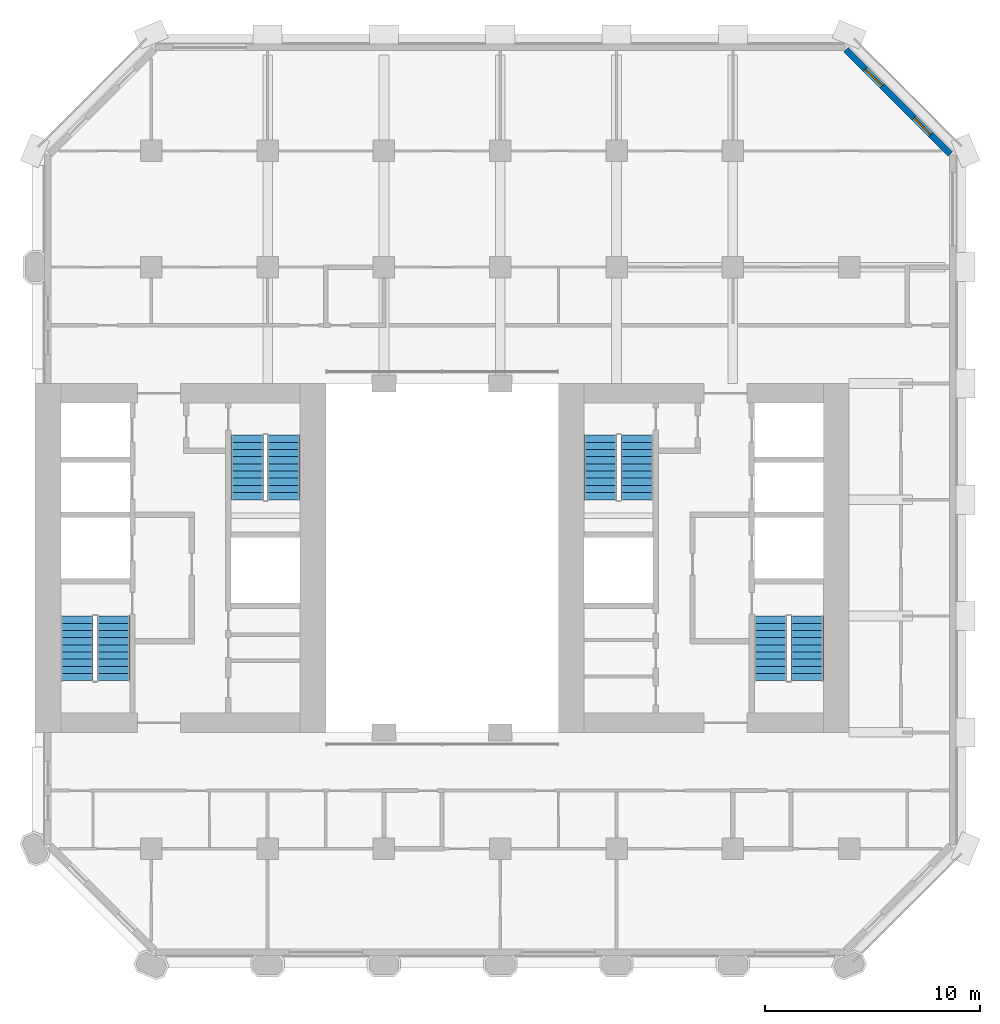
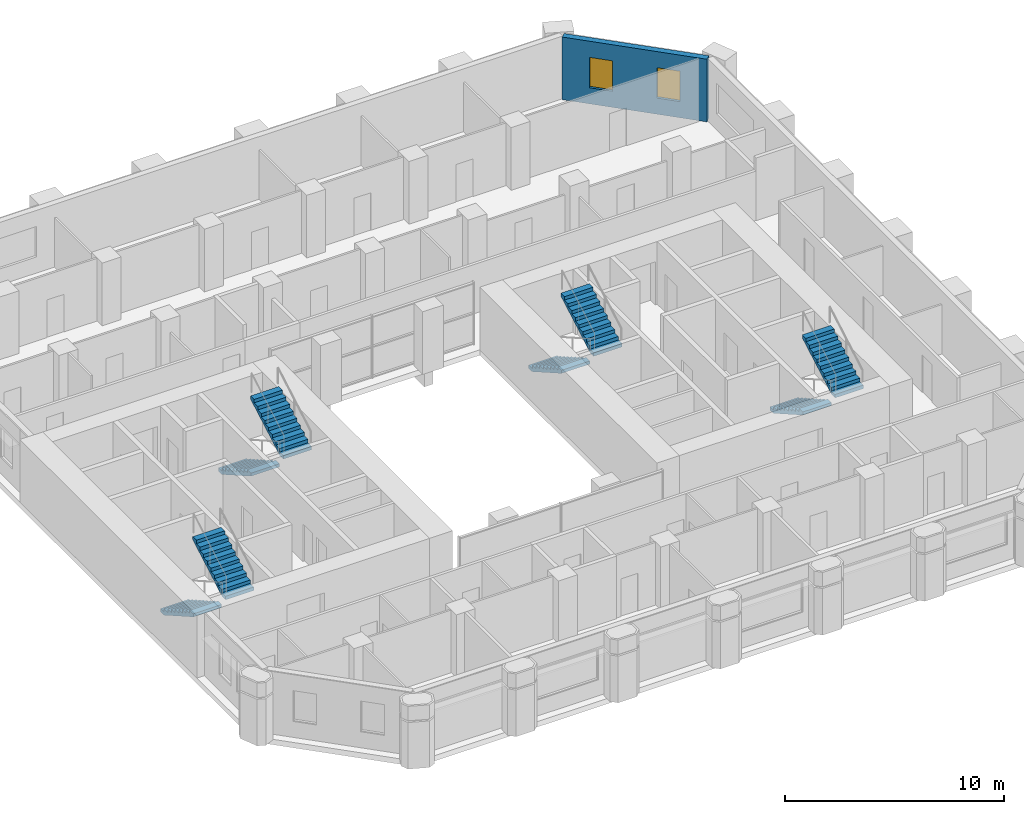
# One storey, part 8 of 10: 8 stair flights, 2 windows, 1 wall, 2 openings, 4 elements without a shape of their own.
"""IFC4 building model written with IfcOpenShell, lengths in metres."""

import ifcopenshell
import ifcopenshell.guid

model = None  # the IFC model being written
_history = None  # IfcOwnerHistory: only IFC2X3 demands one
_inside = {}  # id of a spatial element -> (the spatial element, [elements in it])
_under = {}  # id of a project, library or spatial element -> (it, [spatial elements below it])
_declared = {}  # id of a project -> (the project, [libraries it declares])
_typed = {}  # id of a type object -> (the type object, [elements of that type])
_made_of = {}  # id of a material, layer set ... -> (it, [elements and type objects made of it])


def new_model(schema):
    """Start an empty IFC model of exactly this schema.

    Asked for "IFC4X3", IfcOpenShell would pick the latest addendum, in which some entities
    have other attributes; the version numbers below select the first issue.
    IFC2X3 requires an IfcOwnerHistory on every rooted entity: one is made here for all.
    """
    global model, _history
    if schema == "IFC4X3":
        model = ifcopenshell.file(schema_version=(4, 3, 0, 0))
    else:
        model = ifcopenshell.file(schema=schema)
    _inside.clear()
    _under.clear()
    _declared.clear()
    _typed.clear()
    _made_of.clear()
    _history = None
    if model.schema == "IFC2X3":
        org = make("IfcOrganization", Name="unknown")
        user = make(
            "IfcPersonAndOrganization",
            ThePerson=make("IfcPerson", FamilyName="unknown"),
            TheOrganization=org,
        )
        app = make(
            "IfcApplication",
            ApplicationDeveloper=org,
            Version="unknown",
            ApplicationFullName="unknown",
            ApplicationIdentifier="unknown",
        )
        _history = make(
            "IfcOwnerHistory",
            OwningUser=user,
            OwningApplication=app,
            ChangeAction="ADDED",
            CreationDate=0,
        )
    return model


def make(cls, **values):
    """One entity of the class cls with the attributes given. An attribute that is None is left unset."""
    return model.create_entity(
        cls, **{name: value for name, value in values.items() if value is not None}
    )


def rooted(cls, **values):
    """An entity with a GlobalId (a new one), such as an element, a storey or a relation."""
    return make(cls, GlobalId=ifcopenshell.guid.new(), OwnerHistory=_history, **values)


def si_unit(unit_type, name, prefix=None):
    """IfcSIUnit, for example si_unit("LENGTHUNIT", "METRE", prefix="MILLI")."""
    return make("IfcSIUnit", UnitType=unit_type, Prefix=prefix, Name=name)


def assignment(units):
    """IfcUnitAssignment: the units of a project."""
    return None if units is None else make("IfcUnitAssignment", Units=units)


def point(xyz):
    """IfcCartesianPoint."""
    return None if xyz is None else make("IfcCartesianPoint", Coordinates=xyz)


def direction(xyz):
    """IfcDirection."""
    return None if xyz is None else make("IfcDirection", DirectionRatios=xyz)


def frame(location, z_axis=None, x_axis=None):
    """IfcAxis2Placement3D, a coordinate frame: its origin and axes. An axis left out is left unset."""
    return make(
        "IfcAxis2Placement3D",
        Location=point(location),
        Axis=direction(z_axis),
        RefDirection=direction(x_axis),
    )


def frame_2d(location, x_axis=None):
    """IfcAxis2Placement2D, a coordinate frame in the plane: its origin and x axis."""
    return make(
        "IfcAxis2Placement2D", Location=point(location), RefDirection=direction(x_axis)
    )


def origin():
    """The frame at (0, 0, 0) with its axes left unset."""
    return frame((0.0, 0.0, 0.0))


def place(relative_to, where):
    """IfcLocalPlacement: puts the frame where relative to a parent placement (None: the world)."""
    return make(
        "IfcLocalPlacement", PlacementRelTo=relative_to, RelativePlacement=where
    )


def context(
    kind, dimensions, precision=None, world=None, true_north=None, identifier=None
):
    """IfcGeometricRepresentationContext, for example the 3D "Model" context."""
    return make(
        "IfcGeometricRepresentationContext",
        ContextIdentifier=identifier,
        ContextType=kind,
        CoordinateSpaceDimension=dimensions,
        Precision=precision,
        WorldCoordinateSystem=world,
        TrueNorth=true_north,
    )


def subcontext(parent, identifier, kind, view, scale=None):
    """IfcGeometricRepresentationSubContext, for example "Body" below "Model"."""
    return make(
        "IfcGeometricRepresentationSubContext",
        ContextIdentifier=identifier,
        ContextType=kind,
        ParentContext=parent,
        TargetScale=scale,
        TargetView=view,
    )


def project(units=None, contexts=None):
    """IfcProject with its units and contexts."""
    return rooted(
        "IfcProject",
        Name="project",
        RepresentationContexts=contexts,
        UnitsInContext=assignment(units),
    )


def spatial(cls, under=None, at=None, **own):
    """A site, building, storey or space (cls), placed at a placement, below another one or the project."""
    s = rooted(cls, ObjectPlacement=at, **own)
    if under is not None:
        _under.setdefault(under.id(), (under, []))[1].append(s)
    return s


def polyline(points):
    """IfcPolyline through the points."""
    return make("IfcPolyline", Points=[point(p) for p in points])


def profile(cls, at=None, kind="AREA", **sizes):
    """A parametric profile (cls). Its sizes go by their IFC names, for example OverallWidth=200.0."""
    return make(cls, ProfileType=kind, Position=at, **sizes)


def rectangle(**sizes):
    """IfcRectangleProfileDef."""
    return profile("IfcRectangleProfileDef", **sizes)


def outline(outer, holes=None, kind="AREA"):
    """IfcArbitraryClosedProfileDef: a profile drawn as a closed curve; with holes, ...WithVoids."""
    if holes is None:
        return make("IfcArbitraryClosedProfileDef", ProfileType=kind, OuterCurve=outer)
    return make(
        "IfcArbitraryProfileDefWithVoids",
        ProfileType=kind,
        OuterCurve=outer,
        InnerCurves=holes,
    )


def extrude(swept, where, along, depth):
    """IfcExtrudedAreaSolid: the profile swept, set in the frame where, extruded along a direction by depth."""
    return make(
        "IfcExtrudedAreaSolid",
        SweptArea=swept,
        Position=where,
        ExtrudedDirection=direction(along),
        Depth=depth,
    )


def shape(context_of_items, identifier, shape_type, items):
    """IfcShapeRepresentation: the items that make up one representation, for example the "Body"."""
    return make(
        "IfcShapeRepresentation",
        ContextOfItems=context_of_items,
        RepresentationIdentifier=identifier,
        RepresentationType=shape_type,
        Items=items,
    )


def material(Name=None, Category=None):
    """IfcMaterial."""
    return make("IfcMaterial", Name=Name, Category=Category)


def layer(
    of_material, thickness, ventilated=None, Name=None, Category=None, Priority=None
):
    """IfcMaterialLayer: one layer of a wall or slab, of a material (None: an air gap)."""
    return make(
        "IfcMaterialLayer",
        Material=of_material,
        LayerThickness=thickness,
        IsVentilated=ventilated,
        Name=Name,
        Category=Category,
        Priority=Priority,
    )


def layer_set(layers, Name=None):
    """IfcMaterialLayerSet."""
    return make("IfcMaterialLayerSet", MaterialLayers=layers, LayerSetName=Name)


def made_of(thing, what):
    """Note that an element or type object is made of a material, layer set ...; save() writes the relation."""
    if what is not None:
        _made_of.setdefault(what.id(), (what, []))[1].append(thing)
    return thing


def type_object(cls, material=None, **own):
    """A type object (cls), such as IfcWallType, which elements share."""
    return made_of(rooted(cls, **own), material)


def element(
    cls,
    number,
    at=None,
    inside=None,
    cuts=None,
    type_object=None,
    material=None,
    context=None,
    identifier="Body",
    shape_type=None,
    held_by="IfcProductDefinitionShape",
    body=None,
    shapes=None,
    **own,
):
    """One element of the class cls, such as IfcWall. Its Tag is "e" and its number.

    at: its placement. inside: the storey or other place that contains it. cuts: it is an
    opening in that element (IfcRelVoidsElement). A single representation is given by context,
    identifier, shape_type and body (its items); several are given by shapes. held_by: the class
    of the entity that holds the representations. save() writes the other relations.
    """
    e = rooted(cls, Tag="e%d" % number, ObjectPlacement=at, **own)
    if body is not None:
        shapes = [shape(context, identifier, shape_type, body)]
    if shapes is not None:
        e.Representation = make(held_by, Representations=shapes)
    if inside is not None:
        _inside.setdefault(inside.id(), (inside, []))[1].append(e)
    if cuts is not None:
        rooted(
            "IfcRelVoidsElement", RelatingBuildingElement=cuts, RelatedOpeningElement=e
        )
    if type_object is not None:
        _typed.setdefault(type_object.id(), (type_object, []))[1].append(e)
    return made_of(e, material)


def fill(opening, filler):
    """IfcRelFillsElement: the door or window that sits in an opening."""
    return rooted(
        "IfcRelFillsElement",
        RelatingOpeningElement=opening,
        RelatedBuildingElement=filler,
    )


def aggregate(whole, parts):
    """IfcRelAggregates: a whole, such as a stair, and the parts it consists of."""
    return rooted("IfcRelAggregates", RelatingObject=whole, RelatedObjects=parts)


def save(model, path):
    """Write the relations noted so far, then the file.

    IfcRelAggregates (storeys below a building ...), IfcRelContainedInSpatialStructure (elements
    in a storey), IfcRelDefinesByType, IfcRelAssociatesMaterial and IfcRelDeclares: one each for
    every whole, place, type object, material and project.
    """
    for whole, parts in _under.values():
        aggregate(whole, parts)
    for where, things in _inside.values():
        rooted(
            "IfcRelContainedInSpatialStructure",
            RelatedElements=things,
            RelatingStructure=where,
        )
    for kind, things in _typed.values():
        rooted("IfcRelDefinesByType", RelatedObjects=things, RelatingType=kind)
    for what, things in _made_of.values():
        rooted("IfcRelAssociatesMaterial", RelatedObjects=things, RelatingMaterial=what)
    for by, libraries in _declared.values():
        rooted("IfcRelDeclares", RelatingContext=by, RelatedDefinitions=libraries)
    model.write(path)


model = new_model("IFC4")

# Units and contexts
model_context = context("Model", 3, precision=1e-05, world=origin(), true_north=direction((0.0, 1.0)))
body_context = subcontext(model_context, "Body", "Model", "MODEL_VIEW")
ifc_project = project(units=[si_unit("LENGTHUNIT", "METRE"), si_unit("AREAUNIT", "SQUARE_METRE"), si_unit("VOLUMEUNIT", "CUBIC_METRE"), si_unit("PLANEANGLEUNIT", "RADIAN"), si_unit("MASSUNIT", "GRAM", prefix="KILO")], contexts=[model_context])

# Site, building, storey
site_placement = place(None, origin())
site = spatial("IfcSite", under=ifc_project, at=site_placement, CompositionType="ELEMENT")
building_placement = place(site_placement, origin())
building = spatial("IfcBuilding", under=site, at=building_placement, Name="Tabaq Tower and Sports Hall", CompositionType="ELEMENT")
storey_placement = place(building_placement, frame((0.0, 0.0, 68.800048828125)))
storey = spatial("IfcBuildingStorey", under=building, at=storey_placement, Name="L15", CompositionType="ELEMENT", Elevation=68.800048828125)

# Wall, openings, windows
ifc_material_1 = material(Name="White precast concrete C60/75", Category="concrete")
ifc_layer = layer(ifc_material_1, 0.300048828125)
ifc_layer_set = layer_set([ifc_layer], Name="White precast concrete C60/75 external wall 300")
wall_type = type_object("IfcWallType", Name="White precast concrete C60/75 external wall 300", PredefinedType="SOLIDWALL", material=ifc_layer_set)
wall_placement = place(storey_placement, frame((47.901123046875, 43.050537109375, 0.0), z_axis=(0.0, 0.0, 1.0), x_axis=(-0.707106781187, 0.707106781187, 0.0)))
wall = element("IfcWall", 1, at=wall_placement, inside=storey, type_object=wall_type, Name="External Wall L15 NE", PredefinedType="SOLIDWALL", context=body_context, shape_type="SweptSolid", body=[
    extrude(rectangle(XDim=6.85986328125, YDim=0.300048828125, at=frame_2d((3.429931640625, 0.0))), origin(), (0.0, 0.0, 1.0), 3.5),
])
opening_1_placement = place(wall_placement, frame((1.27978515625, 0.0, 0.89990234375)))
opening_1 = element("IfcOpeningElement", 2, at=opening_1_placement, cuts=wall, Name="Opening W1B", PredefinedType="OPENING", context=body_context, shape_type="SweptSolid", body=[
    extrude(rectangle(XDim=1.10009765625, YDim=1.699951171875, at=frame_2d((0.550048828125, 0.85009765625))), frame((0.0, 0.16015625, 0.0), z_axis=(0.0, -1.0, 0.0), x_axis=(1.0, 0.0, 0.0)), (0.0, 0.0, 1.0), 0.320068359375),
])
opening_2_placement = place(wall_placement, frame((4.479736328125, 0.0, 0.89990234375)))
opening_2 = element("IfcOpeningElement", 3, at=opening_2_placement, cuts=wall, Name="Opening W1B", PredefinedType="OPENING", context=body_context, shape_type="SweptSolid", body=[
    extrude(rectangle(XDim=1.10009765625, YDim=1.699951171875, at=frame_2d((0.550048828125, 0.85009765625))), frame((0.0, 0.16015625, 0.0), z_axis=(0.0, -1.0, 0.0), x_axis=(1.0, 0.0, 0.0)), (0.0, 0.0, 1.0), 0.320068359375),
])
ifc_material_2 = material(Name="Aluminium framed clear glazing", Category="aluminium")
window_type = type_object("IfcWindowType", Name="Window W1B", PartitioningType="SINGLE_PANEL", PredefinedType="WINDOW", material=ifc_material_2)
window_1_placement = place(opening_1_placement, origin())
window_1 = element("IfcWindow", 4, at=window_1_placement, inside=storey, type_object=window_type, Name="Window W1B L15", OverallHeight=1.699951171875, OverallWidth=1.10009765625, PartitioningType="SINGLE_PANEL", PredefinedType="WINDOW", context=body_context, shape_type="SweptSolid", body=[
    extrude(rectangle(XDim=1.10009765625, YDim=1.699951171875, at=frame_2d((0.550048828125, 0.85009765625))), frame((0.0, 0.030029296875, 0.0), z_axis=(0.0, -1.0, 0.0), x_axis=(1.0, 0.0, 0.0)), (0.0, 0.0, 1.0), 0.06005859375),
])
fill(opening_1, window_1)
window_2_placement = place(opening_2_placement, origin())
window_2 = element("IfcWindow", 5, at=window_2_placement, inside=storey, type_object=window_type, Name="Window W1B L15", OverallHeight=1.699951171875, OverallWidth=1.10009765625, PartitioningType="SINGLE_PANEL", PredefinedType="WINDOW", context=body_context, shape_type="SweptSolid", body=[
    extrude(rectangle(XDim=1.10009765625, YDim=1.699951171875, at=frame_2d((0.550048828125, 0.85009765625))), frame((0.0, 0.030029296875, 0.0), z_axis=(0.0, -1.0, 0.0), x_axis=(1.0, 0.0, 0.0)), (0.0, 0.0, 1.0), 0.06005859375),
])
fill(opening_2, window_2)

# Stair, stair flights
ifc_material_3 = material(Name="Concrete C40/50", Category="concrete")
stair_type = type_object("IfcStairType", Name="Exit stair", PredefinedType="HALF_TURN_STAIR", material=ifc_material_3)
stair_1_placement = place(storey_placement, origin())
stair_1 = element("IfcStair", 6, at=stair_1_placement, inside=storey, type_object=stair_type, Name="L15 Exit stair ST1", PredefinedType="HALF_TURN_STAIR")
ifc_material_4 = material(Name="Concrete C40/50", Category="concrete")
stair_flight_type = type_object("IfcStairFlightType", Name="Exit stair flight", PredefinedType="STRAIGHT", material=ifc_material_4)
stair_flight_1_placement = place(storey_placement, frame((7.35009765625, 21.60009765625, 0.0), z_axis=(0.0, 0.0, 1.0), x_axis=(0.0, -1.0, 0.0)))
stair_flight_1 = element("IfcStairFlight", 7, at=stair_flight_1_placement, type_object=stair_flight_type, Name="ST1 flight 1", NumberOfRisers=10, NumberOfTreads=9, PredefinedType="STRAIGHT", RiserHeight=0.19, TreadLength=0.333333333, context=body_context, shape_type="SweptSolid", body=[
    extrude(outline(polyline([(0.0, 0.0), (0.0, 0.18994140625), (0.333251953125, 0.18994140625), (0.333251953125, 0.3798828125), (0.666748046875, 0.3798828125), (0.666748046875, 0.570068359375), (1.0, 0.570068359375), (1.0, 0.760009765625), (1.333251953125, 0.760009765625), (1.333251953125, 0.949951171875), (1.666748046875, 0.949951171875), (1.666748046875, 1.139892578125), (2.0, 1.139892578125), (2.0, 1.330078125), (2.333251953125, 1.330078125), (2.333251953125, 1.52001953125), (2.666748046875, 1.52001953125), (2.666748046875, 1.7099609375), (3.0, 1.7099609375), (3.0, 1.89990234375), (3.0, 1.537353515625), (0.302734375, 0.0), (0.0, 0.0)])), frame((0.0, 0.75, 0.0), z_axis=(0.0, -1.0, 0.0), x_axis=(1.0, 0.0, 0.0)), (0.0, 0.0, 1.0), 1.5),
])
stair_flight_2_placement = place(storey_placement, frame((9.050048828125, 18.60009765625, 1.89990234375), z_axis=(0.0, 0.0, 1.0), x_axis=(0.0, 1.0, 0.0)))
stair_flight_2 = element("IfcStairFlight", 8, at=stair_flight_2_placement, type_object=stair_flight_type, Name="ST1 flight 2", NumberOfRisers=10, NumberOfTreads=9, PredefinedType="STRAIGHT", RiserHeight=0.19, TreadLength=0.333333333, context=body_context, shape_type="SweptSolid", body=[
    extrude(outline(polyline([(0.0, 0.0), (0.0, 0.18994140625), (0.333251953125, 0.18994140625), (0.333251953125, 0.3798828125), (0.666748046875, 0.3798828125), (0.666748046875, 0.570068359375), (1.0, 0.570068359375), (1.0, 0.760009765625), (1.333251953125, 0.760009765625), (1.333251953125, 0.949951171875), (1.666748046875, 0.949951171875), (1.666748046875, 1.139892578125), (2.0, 1.139892578125), (2.0, 1.330078125), (2.333251953125, 1.330078125), (2.333251953125, 1.52001953125), (2.666748046875, 1.52001953125), (2.666748046875, 1.7099609375), (3.0, 1.7099609375), (3.0, 1.89990234375), (3.0, 1.537353515625), (0.302734375, 0.0), (0.0, 0.0)])), frame((0.0, 0.75, 0.0), z_axis=(0.0, -1.0, 0.0), x_axis=(1.0, 0.0, 0.0)), (0.0, 0.0, 1.0), 1.5),
])
aggregate(stair_1, [stair_flight_1, stair_flight_2])

stair_2_placement = place(storey_placement, origin())
stair_2 = element("IfcStair", 9, at=stair_2_placement, inside=storey, type_object=stair_type, Name="L15 Exit stair ST2", PredefinedType="HALF_TURN_STAIR")
stair_flight_3_placement = place(storey_placement, frame((15.25, 30.0, 0.0), z_axis=(0.0, 0.0, 1.0), x_axis=(0.0, -1.0, 0.0)))
stair_flight_3 = element("IfcStairFlight", 10, at=stair_flight_3_placement, type_object=stair_flight_type, Name="ST2 flight 1", NumberOfRisers=10, NumberOfTreads=9, PredefinedType="STRAIGHT", RiserHeight=0.19, TreadLength=0.333333333, context=body_context, shape_type="SweptSolid", body=[
    extrude(outline(polyline([(0.0, 0.0), (0.0, 0.18994140625), (0.333251953125, 0.18994140625), (0.333251953125, 0.3798828125), (0.666748046875, 0.3798828125), (0.666748046875, 0.570068359375), (1.0, 0.570068359375), (1.0, 0.760009765625), (1.333251953125, 0.760009765625), (1.333251953125, 0.949951171875), (1.666748046875, 0.949951171875), (1.666748046875, 1.139892578125), (2.0, 1.139892578125), (2.0, 1.330078125), (2.333251953125, 1.330078125), (2.333251953125, 1.52001953125), (2.666748046875, 1.52001953125), (2.666748046875, 1.7099609375), (3.0, 1.7099609375), (3.0, 1.89990234375), (3.0, 1.537353515625), (0.302734375, 0.0), (0.0, 0.0)])), frame((0.0, 0.75, 0.0), z_axis=(0.0, -1.0, 0.0), x_axis=(1.0, 0.0, 0.0)), (0.0, 0.0, 1.0), 1.5),
])
stair_flight_4_placement = place(storey_placement, frame((16.949951171875, 27.0, 1.89990234375), z_axis=(0.0, 0.0, 1.0), x_axis=(0.0, 1.0, 0.0)))
stair_flight_4 = element("IfcStairFlight", 11, at=stair_flight_4_placement, type_object=stair_flight_type, Name="ST2 flight 2", NumberOfRisers=10, NumberOfTreads=9, PredefinedType="STRAIGHT", RiserHeight=0.19, TreadLength=0.333333333, context=body_context, shape_type="SweptSolid", body=[
    extrude(outline(polyline([(0.0, 0.0), (0.0, 0.18994140625), (0.333251953125, 0.18994140625), (0.333251953125, 0.3798828125), (0.666748046875, 0.3798828125), (0.666748046875, 0.570068359375), (1.0, 0.570068359375), (1.0, 0.760009765625), (1.333251953125, 0.760009765625), (1.333251953125, 0.949951171875), (1.666748046875, 0.949951171875), (1.666748046875, 1.139892578125), (2.0, 1.139892578125), (2.0, 1.330078125), (2.333251953125, 1.330078125), (2.333251953125, 1.52001953125), (2.666748046875, 1.52001953125), (2.666748046875, 1.7099609375), (3.0, 1.7099609375), (3.0, 1.89990234375), (3.0, 1.537353515625), (0.302734375, 0.0), (0.0, 0.0)])), frame((0.0, 0.75, 0.0), z_axis=(0.0, -1.0, 0.0), x_axis=(1.0, 0.0, 0.0)), (0.0, 0.0, 1.0), 1.5),
])
aggregate(stair_2, [stair_flight_3, stair_flight_4])

stair_3_placement = place(storey_placement, origin())
stair_3 = element("IfcStair", 12, at=stair_3_placement, inside=storey, type_object=stair_type, Name="L15 Exit stair ST3", PredefinedType="HALF_TURN_STAIR")
stair_flight_5_placement = place(storey_placement, frame((39.550048828125, 21.60009765625, 0.0), z_axis=(0.0, 0.0, 1.0), x_axis=(0.0, -1.0, 0.0)))
stair_flight_5 = element("IfcStairFlight", 13, at=stair_flight_5_placement, type_object=stair_flight_type, Name="ST3 flight 1", NumberOfRisers=10, NumberOfTreads=9, PredefinedType="STRAIGHT", RiserHeight=0.19, TreadLength=0.333333333, context=body_context, shape_type="SweptSolid", body=[
    extrude(outline(polyline([(0.0, 0.0), (0.0, 0.18994140625), (0.333251953125, 0.18994140625), (0.333251953125, 0.3798828125), (0.666748046875, 0.3798828125), (0.666748046875, 0.570068359375), (1.0, 0.570068359375), (1.0, 0.760009765625), (1.333251953125, 0.760009765625), (1.333251953125, 0.949951171875), (1.666748046875, 0.949951171875), (1.666748046875, 1.139892578125), (2.0, 1.139892578125), (2.0, 1.330078125), (2.333251953125, 1.330078125), (2.333251953125, 1.52001953125), (2.666748046875, 1.52001953125), (2.666748046875, 1.7099609375), (3.0, 1.7099609375), (3.0, 1.89990234375), (3.0, 1.537353515625), (0.302734375, 0.0), (0.0, 0.0)])), frame((0.0, 0.75, 0.0), z_axis=(0.0, -1.0, 0.0), x_axis=(1.0, 0.0, 0.0)), (0.0, 0.0, 1.0), 1.5),
])
stair_flight_6_placement = place(storey_placement, frame((41.25, 18.60009765625, 1.89990234375), z_axis=(0.0, 0.0, 1.0), x_axis=(0.0, 1.0, 0.0)))
stair_flight_6 = element("IfcStairFlight", 14, at=stair_flight_6_placement, type_object=stair_flight_type, Name="ST3 flight 2", NumberOfRisers=10, NumberOfTreads=9, PredefinedType="STRAIGHT", RiserHeight=0.19, TreadLength=0.333333333, context=body_context, shape_type="SweptSolid", body=[
    extrude(outline(polyline([(0.0, 0.0), (0.0, 0.18994140625), (0.333251953125, 0.18994140625), (0.333251953125, 0.3798828125), (0.666748046875, 0.3798828125), (0.666748046875, 0.570068359375), (1.0, 0.570068359375), (1.0, 0.760009765625), (1.333251953125, 0.760009765625), (1.333251953125, 0.949951171875), (1.666748046875, 0.949951171875), (1.666748046875, 1.139892578125), (2.0, 1.139892578125), (2.0, 1.330078125), (2.333251953125, 1.330078125), (2.333251953125, 1.52001953125), (2.666748046875, 1.52001953125), (2.666748046875, 1.7099609375), (3.0, 1.7099609375), (3.0, 1.89990234375), (3.0, 1.537353515625), (0.302734375, 0.0), (0.0, 0.0)])), frame((0.0, 0.75, 0.0), z_axis=(0.0, -1.0, 0.0), x_axis=(1.0, 0.0, 0.0)), (0.0, 0.0, 1.0), 1.5),
])
aggregate(stair_3, [stair_flight_5, stair_flight_6])

stair_4_placement = place(storey_placement, origin())
stair_4 = element("IfcStair", 15, at=stair_4_placement, inside=storey, type_object=stair_type, Name="L15 Exit stair ST4", PredefinedType="HALF_TURN_STAIR")
stair_flight_7_placement = place(storey_placement, frame((31.64990234375, 30.0, 0.0), z_axis=(0.0, 0.0, 1.0), x_axis=(0.0, -1.0, 0.0)))
stair_flight_7 = element("IfcStairFlight", 16, at=stair_flight_7_placement, type_object=stair_flight_type, Name="ST4 flight 1", NumberOfRisers=10, NumberOfTreads=9, PredefinedType="STRAIGHT", RiserHeight=0.19, TreadLength=0.333333333, context=body_context, shape_type="SweptSolid", body=[
    extrude(outline(polyline([(0.0, 0.0), (0.0, 0.18994140625), (0.333251953125, 0.18994140625), (0.333251953125, 0.3798828125), (0.666748046875, 0.3798828125), (0.666748046875, 0.570068359375), (1.0, 0.570068359375), (1.0, 0.760009765625), (1.333251953125, 0.760009765625), (1.333251953125, 0.949951171875), (1.666748046875, 0.949951171875), (1.666748046875, 1.139892578125), (2.0, 1.139892578125), (2.0, 1.330078125), (2.333251953125, 1.330078125), (2.333251953125, 1.52001953125), (2.666748046875, 1.52001953125), (2.666748046875, 1.7099609375), (3.0, 1.7099609375), (3.0, 1.89990234375), (3.0, 1.537353515625), (0.302734375, 0.0), (0.0, 0.0)])), frame((0.0, 0.75, 0.0), z_axis=(0.0, -1.0, 0.0), x_axis=(1.0, 0.0, 0.0)), (0.0, 0.0, 1.0), 1.5),
])
stair_flight_8_placement = place(storey_placement, frame((33.35009765625, 27.0, 1.89990234375), z_axis=(0.0, 0.0, 1.0), x_axis=(0.0, 1.0, 0.0)))
stair_flight_8 = element("IfcStairFlight", 17, at=stair_flight_8_placement, type_object=stair_flight_type, Name="ST4 flight 2", NumberOfRisers=10, NumberOfTreads=9, PredefinedType="STRAIGHT", RiserHeight=0.19, TreadLength=0.333333333, context=body_context, shape_type="SweptSolid", body=[
    extrude(outline(polyline([(0.0, 0.0), (0.0, 0.18994140625), (0.333251953125, 0.18994140625), (0.333251953125, 0.3798828125), (0.666748046875, 0.3798828125), (0.666748046875, 0.570068359375), (1.0, 0.570068359375), (1.0, 0.760009765625), (1.333251953125, 0.760009765625), (1.333251953125, 0.949951171875), (1.666748046875, 0.949951171875), (1.666748046875, 1.139892578125), (2.0, 1.139892578125), (2.0, 1.330078125), (2.333251953125, 1.330078125), (2.333251953125, 1.52001953125), (2.666748046875, 1.52001953125), (2.666748046875, 1.7099609375), (3.0, 1.7099609375), (3.0, 1.89990234375), (3.0, 1.537353515625), (0.302734375, 0.0), (0.0, 0.0)])), frame((0.0, 0.75, 0.0), z_axis=(0.0, -1.0, 0.0), x_axis=(1.0, 0.0, 0.0)), (0.0, 0.0, 1.0), 1.5),
])
aggregate(stair_4, [stair_flight_7, stair_flight_8])

save(model, "model.ifc")
